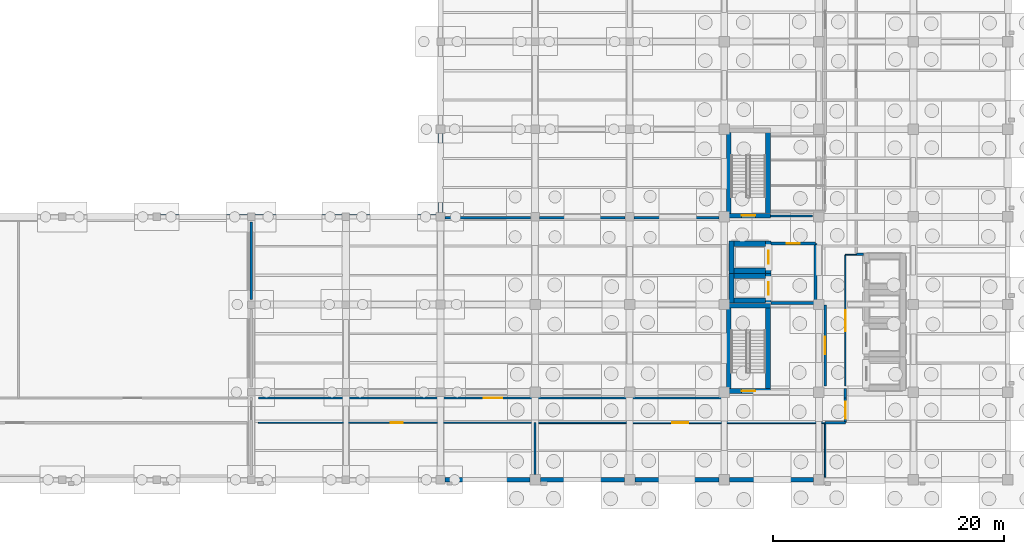
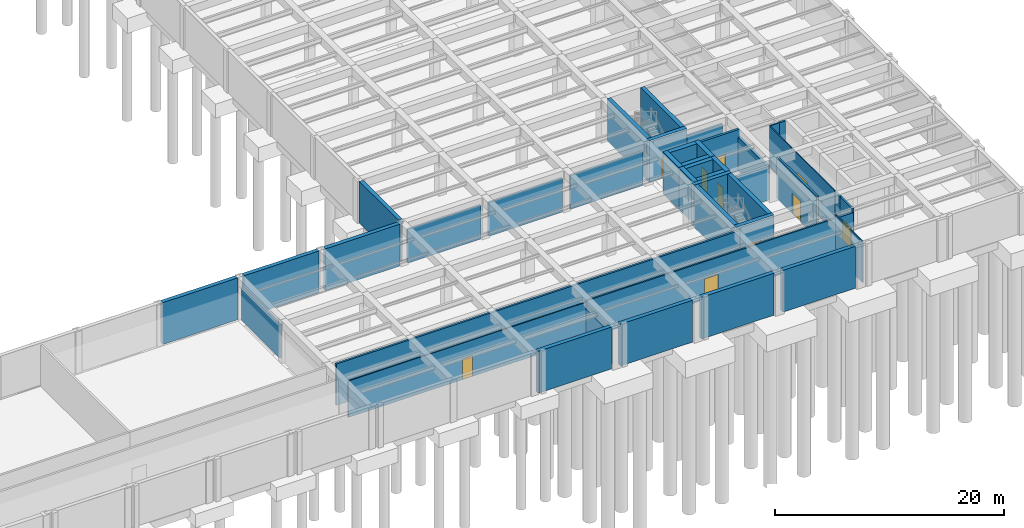
# One storey, part 18 of 29: 43 walls, 11 doors, 11 openings.
"""IFC4 building model written with IfcOpenShell, lengths in metres."""

from ifc_helpers import new_model, si_unit, direction, frame, frame_2d, origin, place, context, subcontext, project, spatial, rectangle, extrude, material, layer, layer_set, type_object, element, fill, save


model = new_model("IFC4")

# Units and contexts
model_context = context("Model", 3, precision=1e-05, world=origin(), true_north=direction((0.0, 1.0)))
body_context = subcontext(model_context, "Body", "Model", "MODEL_VIEW")
ifc_project = project(units=[si_unit("LENGTHUNIT", "METRE"), si_unit("AREAUNIT", "SQUARE_METRE"), si_unit("VOLUMEUNIT", "CUBIC_METRE"), si_unit("PLANEANGLEUNIT", "RADIAN"), si_unit("MASSUNIT", "GRAM", prefix="KILO")], contexts=[model_context])

# Site, building, storey
site_placement = place(None, origin())
site = spatial("IfcSite", under=ifc_project, at=site_placement, CompositionType="ELEMENT")
building_placement = place(site_placement, origin())
building = spatial("IfcBuilding", under=site, at=building_placement, Name="Qandaris Square Conservatory and Botanical Centre", CompositionType="ELEMENT")
storey_placement = place(building_placement, frame((0.0, 0.0, -4.800048828125)))
storey = spatial("IfcBuildingStorey", under=building, at=storey_placement, Name="B1", CompositionType="ELEMENT", Elevation=-4.800048828125)

# Wall, opening, door
ifc_material_1 = material(Name="Gypsum Plasterboard", Category="gypsum")
ifc_layer_1 = layer(ifc_material_1, 0.14990234375)
ifc_layer_set_1 = layer_set([ifc_layer_1], Name="Gypsum Plasterboard")
wall_type_1 = type_object("IfcWallType", Name="Acoustic Laboratory Partition 150mm", PredefinedType="PARTITIONING", material=ifc_layer_set_1)
wall_1_placement = place(storey_placement, frame((147.949951171875, 21.550048828125, 0.0), z_axis=(0.0, 0.0, 1.0), x_axis=(-1.0, 0.0, 0.0)))
wall_1 = element("IfcWall", 1, at=wall_1_placement, inside=storey, type_object=wall_type_1, Name="Interior Partition IW-B1-0011", PredefinedType="PARTITIONING", context=body_context, shape_type="SweptSolid", body=[
    extrude(rectangle(XDim=25.14990234375, YDim=0.14990234375, at=frame_2d((12.574951171875, 0.0))), origin(), (0.0, 0.0, 1.0), 4.03515625),
])
opening_1_placement = place(wall_1_placement, frame((11.875, 0.0, 0.0)))
opening_1 = element("IfcOpeningElement", 2, at=opening_1_placement, cuts=wall_1, Name="Opening D-LAB1", PredefinedType="OPENING", context=body_context, shape_type="SweptSolid", body=[
    extrude(rectangle(XDim=1.39990234375, YDim=2.199951171875, at=frame_2d((0.699951171875, 1.10009765625))), frame((0.0, 0.0869140625, 0.0), z_axis=(0.0, -1.0, 0.0), x_axis=(1.0, 0.0, 0.0)), (0.0, 0.0, 1.0), 0.173828125),
])
ifc_material_2 = material(Name="Engineered Oak Timber", Category="wood")
door_type_1 = type_object("IfcDoorType", Name="Research Laboratory Leaf-and-Half Door 1400x2200", OperationType="DOUBLE_DOOR_SINGLE_SWING", PredefinedType="DOOR", material=ifc_material_2)
door_1_placement = place(opening_1_placement, frame((1.39990234375, 0.0, 0.0), z_axis=(0.0, 0.0, 1.0), x_axis=(-1.0, 0.0, 0.0)))
door_1 = element("IfcDoor", 3, at=door_1_placement, inside=storey, type_object=door_type_1, Name="DR-0004 Germplasm Cryopreservation Vault East Door", OperationType="DOUBLE_DOOR_SINGLE_SWING", OverallHeight=2.199951171875, OverallWidth=1.39990234375, PredefinedType="DOOR", context=body_context, shape_type="SweptSolid", body=[
    extrude(rectangle(XDim=1.39990234375, YDim=2.199951171875, at=frame_2d((0.699951171875, 1.10009765625))), frame((0.0, 0.02490234375, 0.0), z_axis=(0.0, -1.0, 0.0), x_axis=(1.0, 0.0, 0.0)), (0.0, 0.0, 1.0), 0.050048828125),
])
fill(opening_1, door_1)

# Walls
wall_2_placement = place(storey_placement, frame((122.800048828125, 21.550048828125, 0.0), z_axis=(0.0, 0.0, 1.0), x_axis=(0.0, -1.0, 0.0)))
element("IfcWall", 4, at=wall_2_placement, inside=storey, type_object=wall_type_1, Name="Interior Partition IW-B1-0024", PredefinedType="PARTITIONING", context=body_context, shape_type="SweptSolid", body=[
    extrude(rectangle(XDim=4.47998046875, YDim=0.14990234375, at=frame_2d((2.239990234375, 0.0))), origin(), (0.0, 0.0, 1.0), 3.594970703125),
])
ifc_material_3 = material(Name="Concrete C50/60", Category="concrete")
ifc_layer_2 = layer(ifc_material_3, 0.39990234375)
ifc_layer_set_2 = layer_set([ifc_layer_2], Name="Concrete C50/60")
wall_type_2 = type_object("IfcWallType", Name="Basement Waterproof RC Retaining Wall 400mm", PredefinedType="SOLIDWALL", material=ifc_layer_set_2)
for number, where, z_axis, x_axis, name in (
    (5, (90.324951171875, 39.39990234375, 0.0), (0.0, 0.0, 1.0), (1.0, 0.0, 0.0), "Basement Retaining Wall 008"),
    (6, (98.52490234375, 39.39990234375, 0.0), (0.0, 0.0, 1.0), (1.0, 0.0, 0.0), "Basement Retaining Wall 009"),
):
    element("IfcWall", number, at=place(storey_placement, frame(where, z_axis=z_axis, x_axis=x_axis)), inside=storey, type_object=wall_type_2, Name=name, PredefinedType="SOLIDWALL", context=body_context, shape_type="SweptSolid", body=[
        extrude(rectangle(XDim=7.550048828125, YDim=0.39990234375, at=frame_2d((3.77490234375, 0.0))), origin(), (0.0, 0.0, 1.0), 4.4599609375),
    ])
wall_3_placement = place(storey_placement, frame((106.72509765625, 39.39990234375, 0.0), z_axis=(0.0, 0.0, 1.0), x_axis=(1.0, 0.0, 0.0)))
element("IfcWall", 7, at=wall_3_placement, inside=storey, type_object=wall_type_2, Name="Basement Retaining Wall 010", PredefinedType="SOLIDWALL", context=body_context, shape_type="SweptSolid", body=[
    extrude(rectangle(XDim=7.5, YDim=0.39990234375, at=frame_2d((3.75, 0.0))), origin(), (0.0, 0.0, 1.0), 4.4599609375),
])
wall_4_placement = place(storey_placement, frame((114.60009765625, 39.77490234375, 0.0), z_axis=(0.0, 0.0, 1.0), x_axis=(0.0, 1.0, 0.0)))
element("IfcWall", 8, at=wall_4_placement, inside=storey, type_object=wall_type_2, Name="Basement Retaining Wall 011", PredefinedType="SOLIDWALL", context=body_context, shape_type="SweptSolid", body=[
    extrude(rectangle(XDim=6.85009765625, YDim=0.39990234375, at=frame_2d((3.425048828125, 0.0))), origin(), (0.0, 0.0, 1.0), 4.4599609375),
])
wall_5_placement = place(storey_placement, frame((114.97509765625, 16.60009765625, 0.0), z_axis=(0.0, 0.0, 1.0), x_axis=(1.0, 0.0, 0.0)))
element("IfcWall", 9, at=wall_5_placement, inside=storey, type_object=wall_type_2, Name="Basement Retaining Wall 038", PredefinedType="SOLIDWALL", context=body_context, shape_type="SweptSolid", body=[
    extrude(rectangle(XDim=7.375, YDim=0.39990234375, at=frame_2d((3.6875, 0.0))), origin(), (0.0, 0.0, 1.0), 4.4599609375),
])
for number, where, z_axis, x_axis, name in (
    (10, (123.25, 16.60009765625, 0.0), (0.0, 0.0, 1.0), (1.0, 0.0, 0.0), "Basement Retaining Wall 039"),
    (11, (131.449951171875, 16.60009765625, 0.0), (0.0, 0.0, 1.0), (1.0, 0.0, 0.0), "Basement Retaining Wall 040"),
    (12, (139.64990234375, 16.60009765625, 0.0), (0.0, 0.0, 1.0), (1.0, 0.0, 0.0), "Basement Retaining Wall 041"),
):
    element("IfcWall", number, at=place(storey_placement, frame(where, z_axis=z_axis, x_axis=x_axis)), inside=storey, type_object=wall_type_2, Name=name, PredefinedType="SOLIDWALL", context=body_context, shape_type="SweptSolid", body=[
        extrude(rectangle(XDim=7.300048828125, YDim=0.39990234375, at=frame_2d((3.64990234375, 0.0))), origin(), (0.0, 0.0, 1.0), 4.4599609375),
    ])

# Wall, opening, door
ifc_material_4 = material(Name="Concrete C40/50", Category="concrete")
ifc_layer_3 = layer(ifc_material_4, 0.25)
ifc_layer_set_3 = layer_set([ifc_layer_3], Name="Concrete C40/50")
wall_type_3 = type_object("IfcWallType", Name="Firefighting Lobby Compartment Wall 250mm", PredefinedType="SOLIDWALL", material=ifc_layer_set_3)
wall_6_placement = place(storey_placement, frame((143.25, 37.074951171875, 0.0), z_axis=(0.0, 0.0, 1.0), x_axis=(1.0, 0.0, 0.0)))
wall_6 = element("IfcWall", 13, at=wall_6_placement, inside=storey, type_object=wall_type_3, Name="Firefighting Lobby Wall North (B1)", PredefinedType="SOLIDWALL", context=body_context, shape_type="SweptSolid", body=[
    extrude(rectangle(XDim=3.875, YDim=0.25, at=frame_2d((1.9375, 0.0))), origin(), (0.0, 0.0, 1.0), 4.405029296875),
])
opening_2_placement = place(wall_6_placement, frame((1.387451171875, 0.0, 0.0)))
opening_2 = element("IfcOpeningElement", 14, at=opening_2_placement, cuts=wall_6, Name="Opening D-FFL", PredefinedType="OPENING", context=body_context, shape_type="SweptSolid", body=[
    extrude(rectangle(XDim=1.10009765625, YDim=2.199951171875, at=frame_2d((0.550048828125, 1.10009765625))), frame((0.0, 0.136962890625, 0.0), z_axis=(0.0, -1.0, 0.0), x_axis=(1.0, 0.0, 0.0)), (0.0, 0.0, 1.0), 0.27392578125),
])
ifc_material_5 = material(Name="Steel S355", Category="steel")
door_type_2 = type_object("IfcDoorType", Name="Firefighting Lobby Smoke-Seal Door 1100x2200", OperationType="NOTDEFINED", PredefinedType="DOOR", material=ifc_material_5)
door_2_placement = place(opening_2_placement, origin())
door_2 = element("IfcDoor", 15, at=door_2_placement, inside=storey, type_object=door_type_2, Name="DR-0001 Firefighting Lobby Door (B1)", OperationType="SINGLE_SWING_RIGHT", OverallHeight=2.199951171875, OverallWidth=1.10009765625, PredefinedType="DOOR", context=body_context, shape_type="SweptSolid", body=[
    extrude(rectangle(XDim=1.10009765625, YDim=2.199951171875, at=frame_2d((0.550048828125, 1.10009765625))), frame((0.0, 0.02490234375, 0.0), z_axis=(0.0, -1.0, 0.0), x_axis=(1.0, 0.0, 0.0)), (0.0, 0.0, 1.0), 0.050048828125),
])
fill(opening_2, door_2)

# Walls
wall_7_placement = place(storey_placement, frame((143.25, 31.925048828125, 0.0), z_axis=(0.0, 0.0, 1.0), x_axis=(1.0, 0.0, 0.0)))
element("IfcWall", 16, at=wall_7_placement, inside=storey, type_object=wall_type_3, Name="Firefighting Lobby Wall South (B1)", PredefinedType="SOLIDWALL", context=body_context, shape_type="SweptSolid", body=[
    extrude(rectangle(XDim=3.875, YDim=0.25, at=frame_2d((1.9375, 0.0))), origin(), (0.0, 0.0, 1.0), 3.594970703125),
])
wall_8_placement = place(storey_placement, frame((147.125, 31.925048828125, 0.0), z_axis=(0.0, 0.0, 1.0), x_axis=(0.0, 1.0, 0.0)))
element("IfcWall", 17, at=wall_8_placement, inside=storey, type_object=wall_type_3, Name="Firefighting Lobby Wall East (B1)", PredefinedType="SOLIDWALL", context=body_context, shape_type="SweptSolid", body=[
    extrude(rectangle(XDim=5.14990234375, YDim=0.25, at=frame_2d((2.574951171875, 0.0))), origin(), (0.0, 0.0, 1.0), 3.594970703125),
])

# Wall, opening, door
ifc_material_6 = material(Name="Tempered Low-E Glass", Category="glass")
ifc_layer_4 = layer(ifc_material_6, 0.10009765625)
ifc_layer_set_4 = layer_set([ifc_layer_4], Name="Tempered Low-E Glass")
wall_type_4 = type_object("IfcWallType", Name="Framed Acoustic Glazed Gallery Screen 100mm", PredefinedType="PARTITIONING", material=ifc_layer_set_4)
wall_9_placement = place(storey_placement, frame((149.699951171875, 24.75, 0.0), z_axis=(0.0, 0.0, 1.0), x_axis=(0.0, 1.0, 0.0)))
wall_9 = element("IfcWall", 18, at=wall_9_placement, inside=storey, type_object=wall_type_4, Name="Interior Partition IW-B1-0002", PredefinedType="PARTITIONING", context=body_context, shape_type="SweptSolid", body=[
    extrude(rectangle(XDim=11.300048828125, YDim=0.10009765625, at=frame_2d((5.64990234375, 0.0))), origin(), (0.0, 0.0, 1.0), 4.405029296875),
])
opening_3_placement = place(wall_9_placement, frame((4.75, 0.0, 0.0)))
opening_3 = element("IfcOpeningElement", 19, at=opening_3_placement, cuts=wall_9, Name="Opening D-GL1", PredefinedType="OPENING", context=body_context, shape_type="SweptSolid", body=[
    extrude(rectangle(XDim=1.800048828125, YDim=2.39990234375, at=frame_2d((0.89990234375, 1.199951171875))), frame((0.0, 0.06201171875, 0.0), z_axis=(0.0, -1.0, 0.0), x_axis=(1.0, 0.0, 0.0)), (0.0, 0.0, 1.0), 0.1240234375),
])
ifc_material_7 = material(Name="Anodised Aluminium", Category="aluminium")
door_type_3 = type_object("IfcDoorType", Name="Visitor Gallery Glazed Double Door 1800x2400", OperationType="DOUBLE_DOOR_SINGLE_SWING", PredefinedType="DOOR", material=ifc_material_7)
door_3_placement = place(opening_3_placement, frame((1.800048828125, 0.0, 0.0), z_axis=(0.0, 0.0, 1.0), x_axis=(-1.0, 0.0, 0.0)))
door_3 = element("IfcDoor", 20, at=door_3_placement, inside=storey, type_object=door_type_3, Name="DR-0002 Main Circulation Corridor B1 Door", OperationType="DOUBLE_DOOR_SINGLE_SWING", OverallHeight=2.39990234375, OverallWidth=1.800048828125, PredefinedType="DOOR", context=body_context, shape_type="SweptSolid", body=[
    extrude(rectangle(XDim=1.800048828125, YDim=2.39990234375, at=frame_2d((0.89990234375, 1.199951171875))), frame((0.0, 0.02490234375, 0.0), z_axis=(0.0, -1.0, 0.0), x_axis=(1.0, 0.0, 0.0)), (0.0, 0.0, 1.0), 0.050048828125),
])
fill(opening_3, door_3)

# Walls
wall_10_placement = place(storey_placement, frame((149.699951171875, 36.125, 0.0), z_axis=(0.0, 0.0, 1.0), x_axis=(1.0, 0.0, 0.0)))
element("IfcWall", 21, at=wall_10_placement, inside=storey, type_object=wall_type_4, Name="Interior Partition IW-B1-0003", PredefinedType="PARTITIONING", context=body_context, shape_type="SweptSolid", body=[
    extrude(rectangle(XDim=0.949951171875, YDim=0.10009765625, at=frame_2d((0.47509765625, 0.0))), origin(), (0.0, 0.0, 1.0), 4.405029296875),
])
ifc_layer_5 = layer(ifc_material_4, 0.199951171875)
ifc_layer_set_5 = layer_set([ifc_layer_5], Name="Concrete C40/50")
wall_type_5 = type_object("IfcWallType", Name="Herbarium & Plant Compartment Wall 200mm", PredefinedType="PARTITIONING", material=ifc_layer_set_5)
wall_11_placement = place(storey_placement, frame((98.199951171875, 32.25, 0.0), z_axis=(0.0, 0.0, 1.0), x_axis=(0.0, 1.0, 0.0)))
element("IfcWall", 22, at=wall_11_placement, inside=storey, type_object=wall_type_5, Name="Compartment Wall PW-V2V4-B1-3", PredefinedType="PARTITIONING", context=body_context, shape_type="SweptSolid", body=[
    extrude(rectangle(XDim=6.699951171875, YDim=0.199951171875, at=frame_2d((3.35009765625, 0.0))), origin(), (0.0, 0.0, 1.0), 3.594970703125),
])

# Wall, opening, door
wall_12_placement = place(storey_placement, frame((147.949951171875, 31.75, 0.0), z_axis=(0.0, 0.0, 1.0), x_axis=(0.0, -1.0, 0.0)))
wall_12 = element("IfcWall", 23, at=wall_12_placement, inside=storey, type_object=wall_type_5, Name="Interior Partition IW-B1-0001", PredefinedType="PARTITIONING", context=body_context, shape_type="SweptSolid", body=[
    extrude(rectangle(XDim=7.0, YDim=0.199951171875, at=frame_2d((3.5, 0.0))), origin(), (0.0, 0.0, 1.0), 4.405029296875),
])
opening_4_placement = place(wall_12_placement, frame((2.75, 0.0, 0.0)))
opening_4 = element("IfcOpeningElement", 24, at=opening_4_placement, cuts=wall_12, Name="Opening D-PLT1", PredefinedType="OPENING", context=body_context, shape_type="SweptSolid", body=[
    extrude(rectangle(XDim=1.5, YDim=2.199951171875, at=frame_2d((0.75, 1.10009765625))), frame((0.0, 0.11181640625, 0.0), z_axis=(0.0, -1.0, 0.0), x_axis=(1.0, 0.0, 0.0)), (0.0, 0.0, 1.0), 0.223876953125),
])
door_type_4 = type_object("IfcDoorType", Name="Plant & Riser Double Fire Door 1500x2200", OperationType="DOUBLE_DOOR_SINGLE_SWING", PredefinedType="DOOR", material=ifc_material_5)
door_4_placement = place(opening_4_placement, origin())
door_4 = element("IfcDoor", 25, at=door_4_placement, inside=storey, type_object=door_type_4, Name="DR-0007 Electrical and Telecom Riser Room B1 Door", OperationType="DOUBLE_DOOR_SINGLE_SWING", OverallHeight=2.199951171875, OverallWidth=1.5, PredefinedType="DOOR", context=body_context, shape_type="SweptSolid", body=[
    extrude(rectangle(XDim=1.5, YDim=2.199951171875, at=frame_2d((0.75, 1.10009765625))), frame((0.0, 0.02490234375, 0.0), z_axis=(0.0, -1.0, 0.0), x_axis=(1.0, 0.0, 0.0)), (0.0, 0.0, 1.0), 0.050048828125),
])
fill(opening_4, door_4)

# Wall
wall_13_placement = place(storey_placement, frame((150.64990234375, 36.14990234375, 0.0), z_axis=(0.0, 0.0, 1.0), x_axis=(1.0, 0.0, 0.0)))
element("IfcWall", 26, at=wall_13_placement, inside=storey, type_object=wall_type_5, Name="Interior Partition IW-B1-0004", PredefinedType="PARTITIONING", context=body_context, shape_type="SweptSolid", body=[
    extrude(rectangle(XDim=0.6201171875, YDim=0.199951171875, at=frame_2d((0.31005859375, 0.0))), origin(), (0.0, 0.0, 1.0), 4.405029296875),
])

# Wall, opening, door
wall_14_placement = place(storey_placement, frame((98.800048828125, 23.699951171875, 0.0), z_axis=(0.0, 0.0, 1.0), x_axis=(1.0, 0.0, 0.0)))
wall_14 = element("IfcWall", 27, at=wall_14_placement, inside=storey, type_object=wall_type_5, Name="Interior Partition IW-B1-0012", PredefinedType="PARTITIONING", context=body_context, shape_type="SweptSolid", body=[
    extrude(rectangle(XDim=40.699951171875, YDim=0.199951171875, at=frame_2d((20.35009765625, 0.0))), origin(), (0.0, 0.0, 1.0), 4.405029296875),
])
opening_5_placement = place(wall_14_placement, frame((19.550048828125, 0.0, 0.0)))
opening_5 = element("IfcOpeningElement", 28, at=opening_5_placement, cuts=wall_14, Name="Opening D-HRB1", PredefinedType="OPENING", context=body_context, shape_type="SweptSolid", body=[
    extrude(rectangle(XDim=1.60009765625, YDim=2.300048828125, at=frame_2d((0.800048828125, 1.14990234375))), frame((0.0, 0.11181640625, 0.0), z_axis=(0.0, -1.0, 0.0), x_axis=(1.0, 0.0, 0.0)), (0.0, 0.0, 1.0), 0.223876953125),
])
door_type_5 = type_object("IfcDoorType", Name="Herbarium Sealable Specimen Double Door 1600x2300", OperationType="DOUBLE_DOOR_SINGLE_SWING", PredefinedType="DOOR", material=ifc_material_5)
door_5_placement = place(opening_5_placement, origin())
door_5 = element("IfcDoor", 29, at=door_5_placement, inside=storey, type_object=door_type_5, Name="DR-0003 Botanical Specimen Quarantine Vault Door", OperationType="DOUBLE_DOOR_SINGLE_SWING", OverallHeight=2.300048828125, OverallWidth=1.60009765625, PredefinedType="DOOR", context=body_context, shape_type="SweptSolid", body=[
    extrude(rectangle(XDim=1.60009765625, YDim=2.300048828125, at=frame_2d((0.800048828125, 1.14990234375))), frame((0.0, 0.02490234375, 0.0), z_axis=(0.0, -1.0, 0.0), x_axis=(1.0, 0.0, 0.0)), (0.0, 0.0, 1.0), 0.050048828125),
])
fill(opening_5, door_5)

# Wall
wall_15_placement = place(storey_placement, frame((149.699951171875, 24.5, 0.0), z_axis=(0.0, 0.0, 1.0), x_axis=(0.0, -1.0, 0.0)))
element("IfcWall", 30, at=wall_15_placement, inside=storey, type_object=wall_type_5, Name="Interior Partition IW-B1-0013", PredefinedType="PARTITIONING", context=body_context, shape_type="SweptSolid", body=[
    extrude(rectangle(XDim=0.800048828125, YDim=0.199951171875, at=frame_2d((0.39990234375, 0.0))), origin(), (0.0, 0.0, 1.0), 4.405029296875),
])

# Wall, opening, door
wall_16_placement = place(storey_placement, frame((149.699951171875, 23.699951171875, 0.0), z_axis=(0.0, 0.0, 1.0), x_axis=(0.0, -1.0, 0.0)))
wall_16 = element("IfcWall", 31, at=wall_16_placement, inside=storey, type_object=wall_type_5, Name="Interior Partition IW-B1-0014", PredefinedType="PARTITIONING", context=body_context, shape_type="SweptSolid", body=[
    extrude(rectangle(XDim=2.14990234375, YDim=0.199951171875, at=frame_2d((1.074951171875, 0.0))), origin(), (0.0, 0.0, 1.0), 4.405029296875),
])
opening_6_placement = place(wall_16_placement, frame((0.324951171875, 0.0, 0.0)))
opening_6 = element("IfcOpeningElement", 32, at=opening_6_placement, cuts=wall_16, Name="Opening D-PLT1", PredefinedType="OPENING", context=body_context, shape_type="SweptSolid", body=[
    extrude(rectangle(XDim=1.5, YDim=2.199951171875, at=frame_2d((0.75, 1.10009765625))), frame((0.0, 0.11181640625, 0.0), z_axis=(0.0, -1.0, 0.0), x_axis=(1.0, 0.0, 0.0)), (0.0, 0.0, 1.0), 0.223876953125),
])
door_6_placement = place(opening_6_placement, frame((1.5, 0.0, 0.0), z_axis=(0.0, 0.0, 1.0), x_axis=(-1.0, 0.0, 0.0)))
door_6 = element("IfcDoor", 33, at=door_6_placement, inside=storey, type_object=door_type_4, Name="DR-0008 District Cooling Energy Transfer Station Door", OperationType="DOUBLE_DOOR_SINGLE_SWING", OverallHeight=2.199951171875, OverallWidth=1.5, PredefinedType="DOOR", context=body_context, shape_type="SweptSolid", body=[
    extrude(rectangle(XDim=1.5, YDim=2.199951171875, at=frame_2d((0.75, 1.10009765625))), frame((0.0, 0.02490234375, 0.0), z_axis=(0.0, -1.0, 0.0), x_axis=(1.0, 0.0, 0.0)), (0.0, 0.0, 1.0), 0.050048828125),
])
fill(opening_6, door_6)

# Walls
wall_17_placement = place(storey_placement, frame((149.699951171875, 21.550048828125, 0.0), z_axis=(0.0, 0.0, 1.0), x_axis=(-1.0, 0.0, 0.0)))
element("IfcWall", 34, at=wall_17_placement, inside=storey, type_object=wall_type_5, Name="Interior Partition IW-B1-0015", PredefinedType="PARTITIONING", context=body_context, shape_type="SweptSolid", body=[
    extrude(rectangle(XDim=1.75, YDim=0.199951171875, at=frame_2d((0.875, 0.0))), origin(), (0.0, 0.0, 1.0), 4.03515625),
])
wall_18_placement = place(storey_placement, frame((143.199951171875, 39.47998046875, 0.0), z_axis=(0.0, 0.0, 1.0), x_axis=(1.0, 0.0, 0.0)))
element("IfcWall", 35, at=wall_18_placement, inside=storey, type_object=wall_type_5, Name="Interior Partition IW-B1-0021", PredefinedType="PARTITIONING", context=body_context, shape_type="SweptSolid", body=[
    extrude(rectangle(XDim=3.650146484375, YDim=0.199951171875, at=frame_2d((1.8251953125, 0.0))), origin(), (0.0, 0.0, 1.0), 3.594970703125),
])
for number, where, z_axis, x_axis, name in (
    (36, (114.9951171875, 39.324951171875, 0.0), (0.0, 0.0, 1.0), (1.0, 0.0, 0.0), "Interior Partition IW-B1-0026"),
    (37, (123.195068359375, 39.324951171875, 0.0), (0.0, 0.0, 1.0), (1.0, 0.0, 0.0), "Interior Partition IW-B1-0027"),
):
    element("IfcWall", number, at=place(storey_placement, frame(where, z_axis=z_axis, x_axis=x_axis)), inside=storey, type_object=wall_type_5, Name=name, PredefinedType="PARTITIONING", context=body_context, shape_type="SweptSolid", body=[
        extrude(rectangle(XDim=7.409912109375, YDim=0.199951171875, at=frame_2d((3.705078125, 0.0))), origin(), (0.0, 0.0, 1.0), 3.594970703125),
    ])
wall_19_placement = place(storey_placement, frame((131.39501953125, 39.324951171875, 0.0), z_axis=(0.0, 0.0, 1.0), x_axis=(1.0, 0.0, 0.0)))
element("IfcWall", 38, at=wall_19_placement, inside=storey, type_object=wall_type_5, Name="Interior Partition IW-B1-0028", PredefinedType="PARTITIONING", context=body_context, shape_type="SweptSolid", body=[
    extrude(rectangle(XDim=7.3349609375, YDim=0.199951171875, at=frame_2d((3.66748046875, 0.0))), origin(), (0.0, 0.0, 1.0), 3.594970703125),
])
ifc_layer_6 = layer(ifc_material_3, 0.449951171875)
ifc_layer_set_6 = layer_set([ifc_layer_6], Name="Concrete C50/60")
wall_type_6 = type_object("IfcWallType", Name="RC Coupled Core Shear Wall 450mm", PredefinedType="SHEAR", material=ifc_layer_set_6)
for number, where, z_axis, x_axis, name in (
    (39, (140.06005859375, 32.135009765625, 0.0), (0.0, 0.0, 1.0), (1.0, 0.0, 0.0), "Lift FFL1 Shaft Wall South (B1)"),
    (40, (140.06005859375, 34.264892578125, 0.0), (0.0, 0.0, 1.0), (1.0, 0.0, 0.0), "Lift FFL1 Shaft Wall North (B1)"),
):
    element("IfcWall", number, at=place(storey_placement, frame(where, z_axis=z_axis, x_axis=x_axis)), inside=storey, type_object=wall_type_6, Name=name, PredefinedType="SHEAR", context=body_context, shape_type="SweptSolid", body=[
        extrude(rectangle(XDim=2.739990234375, YDim=0.449951171875, at=frame_2d((1.3701171875, 0.0))), origin(), (0.0, 0.0, 1.0), 4.4599609375),
    ])
wall_20_placement = place(storey_placement, frame((139.8349609375, 31.909912109375, 0.0), z_axis=(0.0, 0.0, 1.0), x_axis=(0.0, 1.0, 0.0)))
element("IfcWall", 41, at=wall_20_placement, inside=storey, type_object=wall_type_6, Name="Lift FFL1 Shaft Wall West (B1)", PredefinedType="SHEAR", context=body_context, shape_type="SweptSolid", body=[
    extrude(rectangle(XDim=2.580078125, YDim=0.449951171875, at=frame_2d((1.2900390625, 0.0))), origin(), (0.0, 0.0, 1.0), 4.4599609375),
])

# Wall, opening, door
wall_21_placement = place(storey_placement, frame((143.02490234375, 31.909912109375, 0.0), z_axis=(0.0, 0.0, 1.0), x_axis=(0.0, 1.0, 0.0)))
wall_21 = element("IfcWall", 42, at=wall_21_placement, inside=storey, type_object=wall_type_6, Name="Lift FFL1 Shaft Wall East (B1)", PredefinedType="SHEAR", context=body_context, shape_type="SweptSolid", body=[
    extrude(rectangle(XDim=2.580078125, YDim=0.449951171875, at=frame_2d((1.2900390625, 0.0))), origin(), (0.0, 0.0, 1.0), 4.4599609375),
])
opening_7_placement = place(wall_21_placement, frame((0.739990234375, 0.0, 0.0)))
opening_7 = element("IfcOpeningElement", 43, at=opening_7_placement, cuts=wall_21, Name="Opening LD-FFL", PredefinedType="OPENING", context=body_context, shape_type="SweptSolid", body=[
    extrude(rectangle(XDim=1.10009765625, YDim=2.199951171875, at=frame_2d((0.550048828125, 1.10009765625))), frame((0.0, 0.23681640625, 0.0), z_axis=(0.0, -1.0, 0.0), x_axis=(1.0, 0.0, 0.0)), (0.0, 0.0, 1.0), 0.473876953125),
])
door_type_6 = type_object("IfcDoorType", Name="Firefighting Lift Sliding Landing Door 1100x2200", OperationType="DOUBLE_DOOR_SLIDING", PredefinedType="DOOR", material=ifc_material_5)
door_7_placement = place(opening_7_placement, origin())
door_7 = element("IfcDoor", 44, at=door_7_placement, inside=storey, type_object=door_type_6, Name="DR-0026 Lift FFL1 Landing Door (B1)", OperationType="DOUBLE_DOOR_SLIDING", OverallHeight=2.199951171875, OverallWidth=1.10009765625, PredefinedType="DOOR", context=body_context, shape_type="SweptSolid", body=[
    extrude(rectangle(XDim=1.10009765625, YDim=2.199951171875, at=frame_2d((0.550048828125, 1.10009765625))), frame((0.0, 0.02490234375, 0.0), z_axis=(0.0, -1.0, 0.0), x_axis=(1.0, 0.0, 0.0)), (0.0, 0.0, 1.0), 0.050048828125),
])
fill(opening_7, door_7)

# Walls
for number, where, z_axis, x_axis, name in (
    (45, (140.06005859375, 34.735107421875, 0.0), (0.0, 0.0, 1.0), (1.0, 0.0, 0.0), "Lift FFL2 Shaft Wall South (B1)"),
    (46, (140.06005859375, 37.06494140625, 0.0), (0.0, 0.0, 1.0), (1.0, 0.0, 0.0), "Lift FFL2 Shaft Wall North (B1)"),
):
    element("IfcWall", number, at=place(storey_placement, frame(where, z_axis=z_axis, x_axis=x_axis)), inside=storey, type_object=wall_type_6, Name=name, PredefinedType="SHEAR", context=body_context, shape_type="SweptSolid", body=[
        extrude(rectangle(XDim=2.739990234375, YDim=0.449951171875, at=frame_2d((1.3701171875, 0.0))), origin(), (0.0, 0.0, 1.0), 4.4599609375),
    ])
wall_22_placement = place(storey_placement, frame((139.8349609375, 34.510009765625, 0.0), z_axis=(0.0, 0.0, 1.0), x_axis=(0.0, 1.0, 0.0)))
element("IfcWall", 47, at=wall_22_placement, inside=storey, type_object=wall_type_6, Name="Lift FFL2 Shaft Wall West (B1)", PredefinedType="SHEAR", context=body_context, shape_type="SweptSolid", body=[
    extrude(rectangle(XDim=2.780029296875, YDim=0.449951171875, at=frame_2d((1.39013671875, 0.0))), origin(), (0.0, 0.0, 1.0), 4.4599609375),
])

# Wall, opening, door
wall_23_placement = place(storey_placement, frame((143.02490234375, 34.510009765625, 0.0), z_axis=(0.0, 0.0, 1.0), x_axis=(0.0, 1.0, 0.0)))
wall_23 = element("IfcWall", 48, at=wall_23_placement, inside=storey, type_object=wall_type_6, Name="Lift FFL2 Shaft Wall East (B1)", PredefinedType="SHEAR", context=body_context, shape_type="SweptSolid", body=[
    extrude(rectangle(XDim=2.780029296875, YDim=0.449951171875, at=frame_2d((1.39013671875, 0.0))), origin(), (0.0, 0.0, 1.0), 4.4599609375),
])
opening_8_placement = place(wall_23_placement, frame((0.840087890625, 0.0, 0.0)))
opening_8 = element("IfcOpeningElement", 49, at=opening_8_placement, cuts=wall_23, Name="Opening LD-FFL", PredefinedType="OPENING", context=body_context, shape_type="SweptSolid", body=[
    extrude(rectangle(XDim=1.10009765625, YDim=2.199951171875, at=frame_2d((0.550048828125, 1.10009765625))), frame((0.0, 0.23681640625, 0.0), z_axis=(0.0, -1.0, 0.0), x_axis=(1.0, 0.0, 0.0)), (0.0, 0.0, 1.0), 0.473876953125),
])
door_8_placement = place(opening_8_placement, origin())
door_8 = element("IfcDoor", 50, at=door_8_placement, inside=storey, type_object=door_type_6, Name="DR-0027 Lift FFL2 Landing Door (B1)", OperationType="DOUBLE_DOOR_SLIDING", OverallHeight=2.199951171875, OverallWidth=1.10009765625, PredefinedType="DOOR", context=body_context, shape_type="SweptSolid", body=[
    extrude(rectangle(XDim=1.10009765625, YDim=2.199951171875, at=frame_2d((0.550048828125, 1.10009765625))), frame((0.0, 0.02490234375, 0.0), z_axis=(0.0, -1.0, 0.0), x_axis=(1.0, 0.0, 0.0)), (0.0, 0.0, 1.0), 0.050048828125),
])
fill(opening_8, door_8)

ifc_layer_7 = layer(ifc_material_3, 0.39990234375)
ifc_layer_set_7 = layer_set([ifc_layer_7], Name="Concrete C50/60")
wall_type_7 = type_object("IfcWallType", Name="RC Stair Core Shear Wall 400mm", PredefinedType="SHEAR", material=ifc_layer_set_7)
wall_24_placement = place(storey_placement, frame((139.39990234375, 24.300048828125, 0.0), z_axis=(0.0, 0.0, 1.0), x_axis=(1.0, 0.0, 0.0)))
wall_24 = element("IfcWall", 51, at=wall_24_placement, inside=storey, type_object=wall_type_7, Name="ST-1 Core Shear Wall South (B1)", PredefinedType="SHEAR", context=body_context, shape_type="SweptSolid", body=[
    extrude(rectangle(XDim=3.800048828125, YDim=0.39990234375, at=frame_2d((1.89990234375, 0.0))), origin(), (0.0, 0.0, 1.0), 4.4599609375),
])
opening_9_placement = place(wall_24_placement, frame((1.300048828125, 0.0, 0.0)))
opening_9 = element("IfcOpeningElement", 52, at=opening_9_placement, cuts=wall_24, Name="Opening D-ST1", PredefinedType="OPENING", context=body_context, shape_type="SweptSolid", body=[
    extrude(rectangle(XDim=1.199951171875, YDim=2.199951171875, at=frame_2d((0.60009765625, 1.10009765625))), frame((0.0, 0.2119140625, 0.0), z_axis=(0.0, -1.0, 0.0), x_axis=(1.0, 0.0, 0.0)), (0.0, 0.0, 1.0), 0.423828125),
])
door_type_7 = type_object("IfcDoorType", Name="Exit Stair Core Fire Door 1200x2200", OperationType="NOTDEFINED", PredefinedType="DOOR", material=ifc_material_5)
door_9_placement = place(opening_9_placement, origin())
door_9 = element("IfcDoor", 53, at=door_9_placement, inside=storey, type_object=door_type_7, Name="DR-0019 ST-1 Stair Core Door (B1)", OperationType="SINGLE_SWING_LEFT", OverallHeight=2.199951171875, OverallWidth=1.199951171875, PredefinedType="DOOR", context=body_context, shape_type="SweptSolid", body=[
    extrude(rectangle(XDim=1.199951171875, YDim=2.199951171875, at=frame_2d((0.60009765625, 1.10009765625))), frame((0.0, 0.02490234375, 0.0), z_axis=(0.0, -1.0, 0.0), x_axis=(1.0, 0.0, 0.0)), (0.0, 0.0, 1.0), 0.050048828125),
])
fill(opening_9, door_9)

# Walls
wall_25_placement = place(storey_placement, frame((139.39990234375, 31.699951171875, 0.0), z_axis=(0.0, 0.0, 1.0), x_axis=(1.0, 0.0, 0.0)))
element("IfcWall", 54, at=wall_25_placement, inside=storey, type_object=wall_type_7, Name="ST-1 Core Shear Wall North (B1)", PredefinedType="SHEAR", context=body_context, shape_type="SweptSolid", body=[
    extrude(rectangle(XDim=3.800048828125, YDim=0.39990234375, at=frame_2d((1.89990234375, 0.0))), origin(), (0.0, 0.0, 1.0), 4.4599609375),
])
for number, where, z_axis, x_axis, name in (
    (55, (139.60009765625, 24.5, 0.0), (0.0, 0.0, 1.0), (0.0, 1.0, 0.0), "ST-1 Core Shear Wall West (B1)"),
    (56, (143.0, 24.5, 0.0), (0.0, 0.0, 1.0), (0.0, 1.0, 0.0), "ST-1 Core Shear Wall East (B1)"),
):
    element("IfcWall", number, at=place(storey_placement, frame(where, z_axis=z_axis, x_axis=x_axis)), inside=storey, type_object=wall_type_7, Name=name, PredefinedType="SHEAR", context=body_context, shape_type="SweptSolid", body=[
        extrude(rectangle(XDim=7.0, YDim=0.39990234375, at=frame_2d((3.5, 0.0))), origin(), (0.0, 0.0, 1.0), 4.4599609375),
    ])

# Wall, opening, door
wall_26_placement = place(storey_placement, frame((139.39990234375, 39.5, 0.0), z_axis=(0.0, 0.0, 1.0), x_axis=(1.0, 0.0, 0.0)))
wall_26 = element("IfcWall", 57, at=wall_26_placement, inside=storey, type_object=wall_type_7, Name="ST-2 Core Shear Wall South (B1)", PredefinedType="SHEAR", context=body_context, shape_type="SweptSolid", body=[
    extrude(rectangle(XDim=3.800048828125, YDim=0.39990234375, at=frame_2d((1.89990234375, 0.0))), origin(), (0.0, 0.0, 1.0), 4.4599609375),
])
opening_10_placement = place(wall_26_placement, frame((1.300048828125, 0.0, 0.0)))
opening_10 = element("IfcOpeningElement", 58, at=opening_10_placement, cuts=wall_26, Name="Opening D-ST1", PredefinedType="OPENING", context=body_context, shape_type="SweptSolid", body=[
    extrude(rectangle(XDim=1.199951171875, YDim=2.199951171875, at=frame_2d((0.60009765625, 1.10009765625))), frame((0.0, 0.2119140625, 0.0), z_axis=(0.0, -1.0, 0.0), x_axis=(1.0, 0.0, 0.0)), (0.0, 0.0, 1.0), 0.423828125),
])
door_10_placement = place(opening_10_placement, origin())
door_10 = element("IfcDoor", 59, at=door_10_placement, inside=storey, type_object=door_type_7, Name="DR-0020 ST-2 Stair Core Door (B1)", OperationType="SINGLE_SWING_LEFT", OverallHeight=2.199951171875, OverallWidth=1.199951171875, PredefinedType="DOOR", context=body_context, shape_type="SweptSolid", body=[
    extrude(rectangle(XDim=1.199951171875, YDim=2.199951171875, at=frame_2d((0.60009765625, 1.10009765625))), frame((0.0, 0.02490234375, 0.0), z_axis=(0.0, -1.0, 0.0), x_axis=(1.0, 0.0, 0.0)), (0.0, 0.0, 1.0), 0.050048828125),
])
fill(opening_10, door_10)

# Walls
for number, where, z_axis, x_axis, name in (
    (60, (139.60009765625, 39.699951171875, 0.0), (0.0, 0.0, 1.0), (0.0, 1.0, 0.0), "ST-2 Core Shear Wall West (B1)"),
    (61, (143.0, 39.699951171875, 0.0), (0.0, 0.0, 1.0), (0.0, 1.0, 0.0), "ST-2 Core Shear Wall East (B1)"),
):
    element("IfcWall", number, at=place(storey_placement, frame(where, z_axis=z_axis, x_axis=x_axis)), inside=storey, type_object=wall_type_7, Name=name, PredefinedType="SHEAR", context=body_context, shape_type="SweptSolid", body=[
        extrude(rectangle(XDim=7.0, YDim=0.39990234375, at=frame_2d((3.5, 0.0))), origin(), (0.0, 0.0, 1.0), 4.4599609375),
    ])

# Wall, opening, door
ifc_layer_8 = layer(ifc_material_1, 0.1201171875)
ifc_layer_set_8 = layer_set([ifc_layer_8], Name="Gypsum Plasterboard")
wall_type_8 = type_object("IfcWallType", Name="Standard Research Partition 120mm", PredefinedType="PARTITIONING", material=ifc_layer_set_8)
wall_27_placement = place(storey_placement, frame((122.800048828125, 21.550048828125, 0.0), z_axis=(0.0, 0.0, 1.0), x_axis=(-1.0, 0.0, 0.0)))
wall_27 = element("IfcWall", 62, at=wall_27_placement, inside=storey, type_object=wall_type_8, Name="Interior Partition IW-B1-0010", PredefinedType="PARTITIONING", context=body_context, shape_type="SweptSolid", body=[
    extrude(rectangle(XDim=24.0, YDim=0.1201171875, at=frame_2d((12.0, 0.0))), origin(), (0.0, 0.0, 1.0), 3.885009765625),
])
opening_11_placement = place(wall_27_placement, frame((11.47509765625, 0.0, 0.0)))
opening_11 = element("IfcOpeningElement", 63, at=opening_11_placement, cuts=wall_27, Name="Opening D-LAB2", PredefinedType="OPENING", context=body_context, shape_type="SweptSolid", body=[
    extrude(rectangle(XDim=1.050048828125, YDim=2.199951171875, at=frame_2d((0.52490234375, 1.10009765625))), frame((0.0, 0.072021484375, 0.0), z_axis=(0.0, -1.0, 0.0), x_axis=(1.0, 0.0, 0.0)), (0.0, 0.0, 1.0), 0.14404296875),
])
door_type_8 = type_object("IfcDoorType", Name="Analytical Laboratory Single Door 1050x2200", OperationType="NOTDEFINED", PredefinedType="DOOR", material=ifc_material_2)
door_11_placement = place(opening_11_placement, origin())
door_11 = element("IfcDoor", 64, at=door_11_placement, inside=storey, type_object=door_type_8, Name="DR-0005 Germplasm Cryopreservation Vault West Door", OperationType="SINGLE_SWING_LEFT", OverallHeight=2.199951171875, OverallWidth=1.050048828125, PredefinedType="DOOR", context=body_context, shape_type="SweptSolid", body=[
    extrude(rectangle(XDim=1.050048828125, YDim=2.199951171875, at=frame_2d((0.52490234375, 1.10009765625))), frame((0.0, 0.02490234375, 0.0), z_axis=(0.0, -1.0, 0.0), x_axis=(1.0, 0.0, 0.0)), (0.0, 0.0, 1.0), 0.050048828125),
])
fill(opening_11, door_11)

# Wall
wall_28_placement = place(storey_placement, frame((147.949951171875, 21.550048828125, 0.0), z_axis=(0.0, 0.0, 1.0), x_axis=(0.0, -1.0, 0.0)))
element("IfcWall", 65, at=wall_28_placement, inside=storey, type_object=wall_type_8, Name="Interior Partition IW-B1-0025", PredefinedType="PARTITIONING", context=body_context, shape_type="SweptSolid", body=[
    extrude(rectangle(XDim=4.719970703125, YDim=0.1201171875, at=frame_2d((2.35986328125, 0.0))), origin(), (0.0, 0.0, 1.0), 4.405029296875),
])

save(model, "model.ifc")
